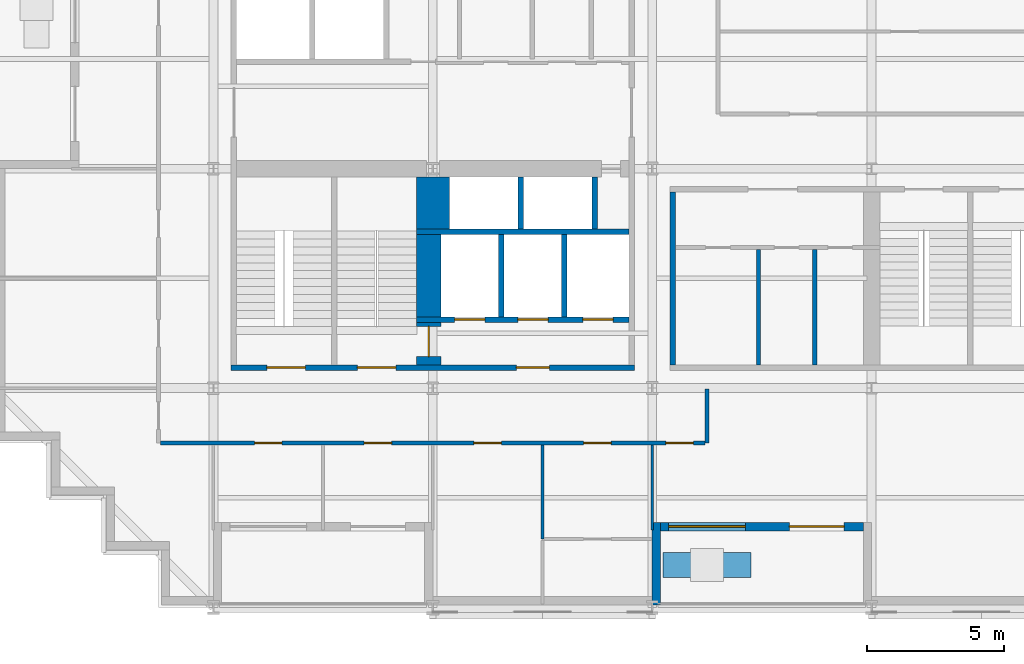
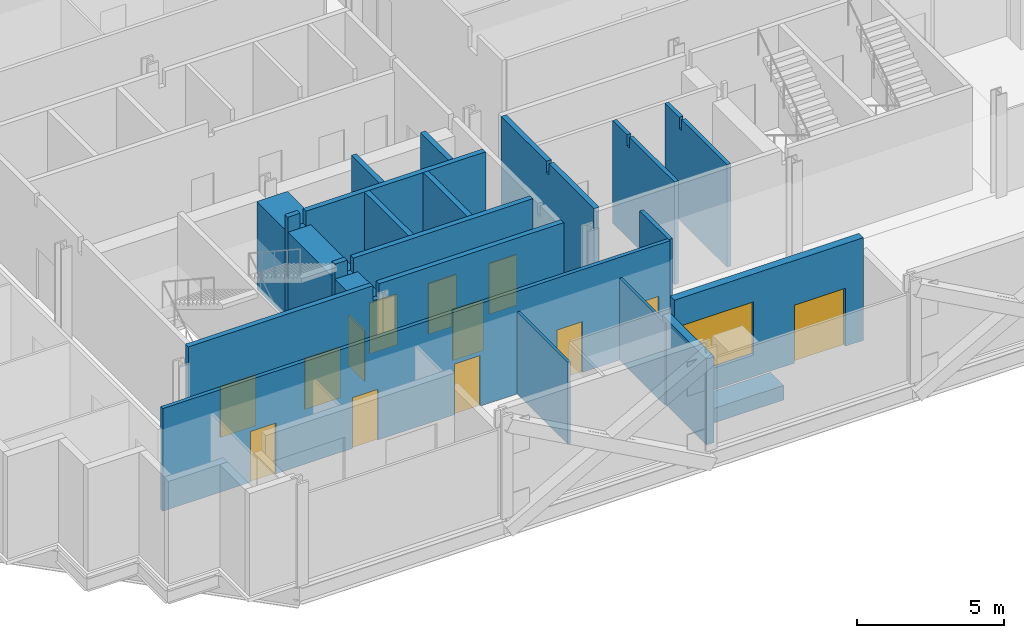
# One storey, part 5 of 15: 20 walls, 13 doors, 1 window, 14 openings.
"""IFC4 building model written with IfcOpenShell, lengths in metres."""

import ifcopenshell
import ifcopenshell.guid

model = None  # the IFC model being written
_history = None  # IfcOwnerHistory: only IFC2X3 demands one
_inside = {}  # id of a spatial element -> (the spatial element, [elements in it])
_under = {}  # id of a project, library or spatial element -> (it, [spatial elements below it])
_declared = {}  # id of a project -> (the project, [libraries it declares])
_typed = {}  # id of a type object -> (the type object, [elements of that type])
_made_of = {}  # id of a material, layer set ... -> (it, [elements and type objects made of it])


def new_model(schema):
    """Start an empty IFC model of exactly this schema.

    Asked for "IFC4X3", IfcOpenShell would pick the latest addendum, in which some entities
    have other attributes; the version numbers below select the first issue.
    IFC2X3 requires an IfcOwnerHistory on every rooted entity: one is made here for all.
    """
    global model, _history
    if schema == "IFC4X3":
        model = ifcopenshell.file(schema_version=(4, 3, 0, 0))
    else:
        model = ifcopenshell.file(schema=schema)
    _inside.clear()
    _under.clear()
    _declared.clear()
    _typed.clear()
    _made_of.clear()
    _history = None
    if model.schema == "IFC2X3":
        org = make("IfcOrganization", Name="unknown")
        user = make(
            "IfcPersonAndOrganization",
            ThePerson=make("IfcPerson", FamilyName="unknown"),
            TheOrganization=org,
        )
        app = make(
            "IfcApplication",
            ApplicationDeveloper=org,
            Version="unknown",
            ApplicationFullName="unknown",
            ApplicationIdentifier="unknown",
        )
        _history = make(
            "IfcOwnerHistory",
            OwningUser=user,
            OwningApplication=app,
            ChangeAction="ADDED",
            CreationDate=0,
        )
    return model


def make(cls, **values):
    """One entity of the class cls with the attributes given. An attribute that is None is left unset."""
    return model.create_entity(
        cls, **{name: value for name, value in values.items() if value is not None}
    )


def rooted(cls, **values):
    """An entity with a GlobalId (a new one), such as an element, a storey or a relation."""
    return make(cls, GlobalId=ifcopenshell.guid.new(), OwnerHistory=_history, **values)


def si_unit(unit_type, name, prefix=None):
    """IfcSIUnit, for example si_unit("LENGTHUNIT", "METRE", prefix="MILLI")."""
    return make("IfcSIUnit", UnitType=unit_type, Prefix=prefix, Name=name)


def assignment(units):
    """IfcUnitAssignment: the units of a project."""
    return None if units is None else make("IfcUnitAssignment", Units=units)


def point(xyz):
    """IfcCartesianPoint."""
    return None if xyz is None else make("IfcCartesianPoint", Coordinates=xyz)


def direction(xyz):
    """IfcDirection."""
    return None if xyz is None else make("IfcDirection", DirectionRatios=xyz)


def frame(location, z_axis=None, x_axis=None):
    """IfcAxis2Placement3D, a coordinate frame: its origin and axes. An axis left out is left unset."""
    return make(
        "IfcAxis2Placement3D",
        Location=point(location),
        Axis=direction(z_axis),
        RefDirection=direction(x_axis),
    )


def frame_2d(location, x_axis=None):
    """IfcAxis2Placement2D, a coordinate frame in the plane: its origin and x axis."""
    return make(
        "IfcAxis2Placement2D", Location=point(location), RefDirection=direction(x_axis)
    )


def origin():
    """The frame at (0, 0, 0) with its axes left unset."""
    return frame((0.0, 0.0, 0.0))


def place(relative_to, where):
    """IfcLocalPlacement: puts the frame where relative to a parent placement (None: the world)."""
    return make(
        "IfcLocalPlacement", PlacementRelTo=relative_to, RelativePlacement=where
    )


def context(
    kind, dimensions, precision=None, world=None, true_north=None, identifier=None
):
    """IfcGeometricRepresentationContext, for example the 3D "Model" context."""
    return make(
        "IfcGeometricRepresentationContext",
        ContextIdentifier=identifier,
        ContextType=kind,
        CoordinateSpaceDimension=dimensions,
        Precision=precision,
        WorldCoordinateSystem=world,
        TrueNorth=true_north,
    )


def subcontext(parent, identifier, kind, view, scale=None):
    """IfcGeometricRepresentationSubContext, for example "Body" below "Model"."""
    return make(
        "IfcGeometricRepresentationSubContext",
        ContextIdentifier=identifier,
        ContextType=kind,
        ParentContext=parent,
        TargetScale=scale,
        TargetView=view,
    )


def project(units=None, contexts=None):
    """IfcProject with its units and contexts."""
    return rooted(
        "IfcProject",
        Name="project",
        RepresentationContexts=contexts,
        UnitsInContext=assignment(units),
    )


def spatial(cls, under=None, at=None, **own):
    """A site, building, storey or space (cls), placed at a placement, below another one or the project."""
    s = rooted(cls, ObjectPlacement=at, **own)
    if under is not None:
        _under.setdefault(under.id(), (under, []))[1].append(s)
    return s


def polyline(points):
    """IfcPolyline through the points."""
    return make("IfcPolyline", Points=[point(p) for p in points])


def profile(cls, at=None, kind="AREA", **sizes):
    """A parametric profile (cls). Its sizes go by their IFC names, for example OverallWidth=200.0."""
    return make(cls, ProfileType=kind, Position=at, **sizes)


def rectangle(**sizes):
    """IfcRectangleProfileDef."""
    return profile("IfcRectangleProfileDef", **sizes)


def outline(outer, holes=None, kind="AREA"):
    """IfcArbitraryClosedProfileDef: a profile drawn as a closed curve; with holes, ...WithVoids."""
    if holes is None:
        return make("IfcArbitraryClosedProfileDef", ProfileType=kind, OuterCurve=outer)
    return make(
        "IfcArbitraryProfileDefWithVoids",
        ProfileType=kind,
        OuterCurve=outer,
        InnerCurves=holes,
    )


def extrude(swept, where, along, depth):
    """IfcExtrudedAreaSolid: the profile swept, set in the frame where, extruded along a direction by depth."""
    return make(
        "IfcExtrudedAreaSolid",
        SweptArea=swept,
        Position=where,
        ExtrudedDirection=direction(along),
        Depth=depth,
    )


def shape(context_of_items, identifier, shape_type, items):
    """IfcShapeRepresentation: the items that make up one representation, for example the "Body"."""
    return make(
        "IfcShapeRepresentation",
        ContextOfItems=context_of_items,
        RepresentationIdentifier=identifier,
        RepresentationType=shape_type,
        Items=items,
    )


def material(Name=None, Category=None):
    """IfcMaterial."""
    return make("IfcMaterial", Name=Name, Category=Category)


def layer(
    of_material, thickness, ventilated=None, Name=None, Category=None, Priority=None
):
    """IfcMaterialLayer: one layer of a wall or slab, of a material (None: an air gap)."""
    return make(
        "IfcMaterialLayer",
        Material=of_material,
        LayerThickness=thickness,
        IsVentilated=ventilated,
        Name=Name,
        Category=Category,
        Priority=Priority,
    )


def layer_set(layers, Name=None):
    """IfcMaterialLayerSet."""
    return make("IfcMaterialLayerSet", MaterialLayers=layers, LayerSetName=Name)


def made_of(thing, what):
    """Note that an element or type object is made of a material, layer set ...; save() writes the relation."""
    if what is not None:
        _made_of.setdefault(what.id(), (what, []))[1].append(thing)
    return thing


def type_object(cls, material=None, **own):
    """A type object (cls), such as IfcWallType, which elements share."""
    return made_of(rooted(cls, **own), material)


def element(
    cls,
    number,
    at=None,
    inside=None,
    cuts=None,
    type_object=None,
    material=None,
    context=None,
    identifier="Body",
    shape_type=None,
    held_by="IfcProductDefinitionShape",
    body=None,
    shapes=None,
    **own,
):
    """One element of the class cls, such as IfcWall. Its Tag is "e" and its number.

    at: its placement. inside: the storey or other place that contains it. cuts: it is an
    opening in that element (IfcRelVoidsElement). A single representation is given by context,
    identifier, shape_type and body (its items); several are given by shapes. held_by: the class
    of the entity that holds the representations. save() writes the other relations.
    """
    e = rooted(cls, Tag="e%d" % number, ObjectPlacement=at, **own)
    if body is not None:
        shapes = [shape(context, identifier, shape_type, body)]
    if shapes is not None:
        e.Representation = make(held_by, Representations=shapes)
    if inside is not None:
        _inside.setdefault(inside.id(), (inside, []))[1].append(e)
    if cuts is not None:
        rooted(
            "IfcRelVoidsElement", RelatingBuildingElement=cuts, RelatedOpeningElement=e
        )
    if type_object is not None:
        _typed.setdefault(type_object.id(), (type_object, []))[1].append(e)
    return made_of(e, material)


def fill(opening, filler):
    """IfcRelFillsElement: the door or window that sits in an opening."""
    return rooted(
        "IfcRelFillsElement",
        RelatingOpeningElement=opening,
        RelatedBuildingElement=filler,
    )


def aggregate(whole, parts):
    """IfcRelAggregates: a whole, such as a stair, and the parts it consists of."""
    return rooted("IfcRelAggregates", RelatingObject=whole, RelatedObjects=parts)


def save(model, path):
    """Write the relations noted so far, then the file.

    IfcRelAggregates (storeys below a building ...), IfcRelContainedInSpatialStructure (elements
    in a storey), IfcRelDefinesByType, IfcRelAssociatesMaterial and IfcRelDeclares: one each for
    every whole, place, type object, material and project.
    """
    for whole, parts in _under.values():
        aggregate(whole, parts)
    for where, things in _inside.values():
        rooted(
            "IfcRelContainedInSpatialStructure",
            RelatedElements=things,
            RelatingStructure=where,
        )
    for kind, things in _typed.values():
        rooted("IfcRelDefinesByType", RelatedObjects=things, RelatingType=kind)
    for what, things in _made_of.values():
        rooted("IfcRelAssociatesMaterial", RelatedObjects=things, RelatingMaterial=what)
    for by, libraries in _declared.values():
        rooted("IfcRelDeclares", RelatingContext=by, RelatedDefinitions=libraries)
    model.write(path)


model = new_model("IFC4")

# Units and contexts
model_context = context("Model", 3, precision=1e-05, world=origin(), true_north=direction((0.0, 1.0)))
body_context = subcontext(model_context, "Body", "Model", "MODEL_VIEW")
ifc_project = project(units=[si_unit("LENGTHUNIT", "METRE"), si_unit("AREAUNIT", "SQUARE_METRE"), si_unit("VOLUMEUNIT", "CUBIC_METRE"), si_unit("PLANEANGLEUNIT", "RADIAN"), si_unit("MASSUNIT", "GRAM", prefix="KILO")], contexts=[model_context])

# Site, building, storey
site_placement = place(None, origin())
site = spatial("IfcSite", under=ifc_project, at=site_placement, CompositionType="ELEMENT")
building_placement = place(site_placement, origin())
building = spatial("IfcBuilding", under=site, at=building_placement, Name="Immortelle Media Tower", CompositionType="ELEMENT")
storey_placement = place(building_placement, frame((0.0, 0.0, 61.199951171875)))
storey = spatial("IfcBuildingStorey", under=building, at=storey_placement, Name="L10", CompositionType="ELEMENT", Elevation=61.199951171875)

# Walls
ifc_material_1 = material(Name="Fire-rated gypsum board", Category="gypsum")
ifc_layer_1 = layer(ifc_material_1, 0.02490234375)
ifc_material_2 = material(Name="Steel ASTM A653 SS Gr 50 stud frame with mineral wool", Category="steel")
ifc_layer_2 = layer(ifc_material_2, 0.10009765625)
ifc_layer_3 = layer(ifc_material_1, 0.02490234375)
ifc_layer_set_1 = layer_set([ifc_layer_1, ifc_layer_2, ifc_layer_3], Name="Steel ASTM A653 SS Gr 50 stud frame with mineral wool")
wall_type_1 = type_object("IfcWallType", Name="Core partition 150", PredefinedType="PARTITIONING", material=ifc_layer_set_1)
for number, where, z_axis, x_axis, name in (
    (1, (27.875, 8.85009765625, 0.0), (0.0, 0.0, 1.0), (0.0, 1.0, 0.0), "Core partition SE"),
    (2, (29.925048828125, 8.85009765625, 0.0), (0.0, 0.0, 1.0), (0.0, 1.0, 0.0), "Core partition SE"),
):
    element("IfcWall", number, at=place(storey_placement, frame(where, z_axis=z_axis, x_axis=x_axis)), inside=storey, type_object=wall_type_1, Name=name, PredefinedType="PARTITIONING", context=body_context, shape_type="SweptSolid", body=[
        extrude(outline(polyline([(0.0, 0.0), (4.199951171875, 0.0), (4.199951171875, 4.25), (3.2314453125, 4.25), (3.23046875, 3.7890625), (3.069580078125, 3.7890625), (3.068603515625, 4.25), (0.0, 4.25), (0.0, 0.0)])), frame((0.0, 0.074951171875, 0.0), z_axis=(0.0, -1.0, 0.0), x_axis=(1.0, 0.0, 0.0)), (0.0, 0.0, 1.0), 0.14990234375),
    ])

# Wall, openings, doors
ifc_layer_4 = layer(ifc_material_1, 0.03759765625)
ifc_layer_5 = layer(ifc_material_2, 0.125)
ifc_layer_6 = layer(ifc_material_1, 0.03759765625)
ifc_layer_set_2 = layer_set([ifc_layer_4, ifc_layer_5, ifc_layer_6], Name="Steel ASTM A653 SS Gr 50 stud frame with mineral wool")
wall_type_2 = type_object("IfcWallType", Name="Core shaft wall 200", PredefinedType="PARTITIONING", material=ifc_layer_set_2)
wall_1_placement = place(storey_placement, frame((15.39990234375, 10.5, 0.0), z_axis=(0.0, 0.0, 1.0), x_axis=(1.0, 0.0, 0.0)))
wall_1 = element("IfcWall", 3, at=wall_1_placement, inside=storey, type_object=wall_type_2, Name="Core shaft wall SW", PredefinedType="PARTITIONING", context=body_context, shape_type="SweptSolid", body=[
    extrude(outline(polyline([(0.0, 0.0), (7.75, 0.0), (7.75, 4.25), (0.719482421875, 4.25), (0.718505859375, 3.632080078125), (0.4814453125, 3.632080078125), (0.48046875, 4.25), (0.0, 4.25), (0.0, 0.0)])), frame((0.0, 0.10009765625, 0.0), z_axis=(0.0, -1.0, 0.0), x_axis=(1.0, 0.0, 0.0)), (0.0, 0.0, 1.0), 0.199951171875),
])
opening_1_placement = place(wall_1_placement, frame((1.39990234375, 0.0, 0.0)))
opening_1 = element("IfcOpeningElement", 4, at=opening_1_placement, cuts=wall_1, Name="Opening LD", PredefinedType="OPENING", context=body_context, shape_type="SweptSolid", body=[
    extrude(rectangle(XDim=1.10009765625, YDim=2.10009765625, at=frame_2d((0.550048828125, 1.050048828125))), frame((0.0, 0.10986328125, 0.0), z_axis=(0.0, -1.0, 0.0), x_axis=(1.0, 0.0, 0.0)), (0.0, 0.0, 1.0), 0.219970703125),
])
opening_2_placement = place(wall_1_placement, frame((3.699951171875, 0.0, 0.0)))
opening_2 = element("IfcOpeningElement", 5, at=opening_2_placement, cuts=wall_1, Name="Opening LD", PredefinedType="OPENING", context=body_context, shape_type="SweptSolid", body=[
    extrude(rectangle(XDim=1.10009765625, YDim=2.10009765625, at=frame_2d((0.550048828125, 1.050048828125))), frame((0.0, 0.10986328125, 0.0), z_axis=(0.0, -1.0, 0.0), x_axis=(1.0, 0.0, 0.0)), (0.0, 0.0, 1.0), 0.219970703125),
])
opening_3_placement = place(wall_1_placement, frame((6.074951171875, 0.0, 0.0)))
opening_3 = element("IfcOpeningElement", 6, at=opening_3_placement, cuts=wall_1, Name="Opening LD", PredefinedType="OPENING", context=body_context, shape_type="SweptSolid", body=[
    extrude(rectangle(XDim=1.10009765625, YDim=2.10009765625, at=frame_2d((0.550048828125, 1.050048828125))), frame((0.0, 0.10986328125, 0.0), z_axis=(0.0, -1.0, 0.0), x_axis=(1.0, 0.0, 0.0)), (0.0, 0.0, 1.0), 0.219970703125),
])
ifc_material_3 = material(Name="Stainless steel AISI 304", Category="steel")
door_type_1 = type_object("IfcDoorType", Name="Landing door 1100 x 2100", OperationType="SLIDING_TO_LEFT", PredefinedType="NOTDEFINED", material=ifc_material_3)
door_1_placement = place(opening_1_placement, origin())
door_1 = element("IfcDoor", 7, at=door_1_placement, inside=storey, type_object=door_type_1, Name="Landing door FF1 L10", OperationType="SLIDING_TO_LEFT", OverallHeight=2.10009765625, OverallWidth=1.10009765625, PredefinedType="NOTDEFINED", context=body_context, shape_type="SweptSolid", body=[
    extrude(rectangle(XDim=1.10009765625, YDim=2.10009765625, at=frame_2d((0.550048828125, 1.050048828125))), frame((0.0, 0.02490234375, 0.0), z_axis=(0.0, -1.0, 0.0), x_axis=(1.0, 0.0, 0.0)), (0.0, 0.0, 1.0), 0.050048828125),
])
fill(opening_1, door_1)
door_2_placement = place(opening_2_placement, origin())
door_2 = element("IfcDoor", 8, at=door_2_placement, inside=storey, type_object=door_type_1, Name="Landing door FF2 L10", OperationType="SLIDING_TO_LEFT", OverallHeight=2.10009765625, OverallWidth=1.10009765625, PredefinedType="NOTDEFINED", context=body_context, shape_type="SweptSolid", body=[
    extrude(rectangle(XDim=1.10009765625, YDim=2.10009765625, at=frame_2d((0.550048828125, 1.050048828125))), frame((0.0, 0.02490234375, 0.0), z_axis=(0.0, -1.0, 0.0), x_axis=(1.0, 0.0, 0.0)), (0.0, 0.0, 1.0), 0.050048828125),
])
fill(opening_2, door_2)
door_3_placement = place(opening_3_placement, origin())
door_3 = element("IfcDoor", 9, at=door_3_placement, inside=storey, type_object=door_type_1, Name="Landing door FF3 L10", OperationType="SLIDING_TO_LEFT", OverallHeight=2.10009765625, OverallWidth=1.10009765625, PredefinedType="NOTDEFINED", context=body_context, shape_type="SweptSolid", body=[
    extrude(rectangle(XDim=1.10009765625, YDim=2.10009765625, at=frame_2d((0.550048828125, 1.050048828125))), frame((0.0, 0.02490234375, 0.0), z_axis=(0.0, -1.0, 0.0), x_axis=(1.0, 0.0, 0.0)), (0.0, 0.0, 1.0), 0.050048828125),
])
fill(opening_3, door_3)

# Walls
wall_2_placement = place(storey_placement, frame((15.39990234375, 13.699951171875, 0.0), z_axis=(0.0, 0.0, 1.0), x_axis=(1.0, 0.0, 0.0)))
element("IfcWall", 10, at=wall_2_placement, inside=storey, type_object=wall_type_2, Name="Core shaft wall SW", PredefinedType="PARTITIONING", context=body_context, shape_type="SweptSolid", body=[
    extrude(outline(polyline([(0.0, 0.0), (7.75, 0.0), (7.75, 4.25), (0.719482421875, 4.25), (0.718505859375, 3.632080078125), (0.4814453125, 3.632080078125), (0.48046875, 4.25), (0.0, 4.25), (0.0, 0.0)])), frame((0.0, 0.10009765625, 0.0), z_axis=(0.0, -1.0, 0.0), x_axis=(1.0, 0.0, 0.0)), (0.0, 0.0, 1.0), 0.199951171875),
])
wall_3_placement = place(storey_placement, frame((18.5, 10.60009765625, 0.0), z_axis=(0.0, 0.0, 1.0), x_axis=(0.0, 1.0, 0.0)))
element("IfcWall", 11, at=wall_3_placement, inside=storey, type_object=wall_type_2, Name="Core shaft wall SW", PredefinedType="PARTITIONING", context=body_context, shape_type="SweptSolid", body=[
    extrude(rectangle(XDim=3.0, YDim=0.199951171875, at=frame_2d((1.5, 0.0))), origin(), (0.0, 0.0, 1.0), 4.25),
])
wall_4_placement = place(storey_placement, frame((19.199951171875, 13.800048828125, 0.0), z_axis=(0.0, 0.0, 1.0), x_axis=(0.0, 1.0, 0.0)))
element("IfcWall", 12, at=wall_4_placement, inside=storey, type_object=wall_type_2, Name="Core shaft wall SW", PredefinedType="PARTITIONING", context=body_context, shape_type="SweptSolid", body=[
    extrude(rectangle(XDim=1.89990234375, YDim=0.199951171875, at=frame_2d((0.949951171875, 0.0))), origin(), (0.0, 0.0, 1.0), 4.25),
])
wall_5_placement = place(storey_placement, frame((20.800048828125, 10.60009765625, 0.0), z_axis=(0.0, 0.0, 1.0), x_axis=(0.0, 1.0, 0.0)))
element("IfcWall", 13, at=wall_5_placement, inside=storey, type_object=wall_type_2, Name="Core shaft wall SW", PredefinedType="PARTITIONING", context=body_context, shape_type="SweptSolid", body=[
    extrude(rectangle(XDim=3.0, YDim=0.199951171875, at=frame_2d((1.5, 0.0))), origin(), (0.0, 0.0, 1.0), 4.25),
])
wall_6_placement = place(storey_placement, frame((21.89990234375, 13.800048828125, 0.0), z_axis=(0.0, 0.0, 1.0), x_axis=(0.0, 1.0, 0.0)))
element("IfcWall", 14, at=wall_6_placement, inside=storey, type_object=wall_type_2, Name="Core shaft wall SW", PredefinedType="PARTITIONING", context=body_context, shape_type="SweptSolid", body=[
    extrude(rectangle(XDim=1.89990234375, YDim=0.199951171875, at=frame_2d((0.949951171875, 0.0))), origin(), (0.0, 0.0, 1.0), 4.25),
])
wall_7_placement = place(storey_placement, frame((24.75, 8.85009765625, 0.0), z_axis=(0.0, 0.0, 1.0), x_axis=(0.0, 1.0, 0.0)))
element("IfcWall", 15, at=wall_7_placement, inside=storey, type_object=wall_type_2, Name="Core shaft wall SE", PredefinedType="PARTITIONING", context=body_context, shape_type="SweptSolid", body=[
    extrude(outline(polyline([(0.0, 0.0), (6.2998046875, 0.0), (6.300048828125, 4.25), (3.2314453125, 4.25), (3.23046875, 3.7890625), (3.069580078125, 3.7890625), (3.068603515625, 4.25), (0.0, 4.25), (0.0, 0.0)])), frame((0.0, 0.10009765625, 0.0), z_axis=(0.0, -1.0, 0.0), x_axis=(1.0, 0.0, 0.0)), (0.0, 0.0, 1.0), 0.199951171875),
])

# Wall, openings, doors
ifc_layer_7 = layer(ifc_material_1, 0.012451171875)
ifc_layer_8 = layer(ifc_material_2, 0.125)
ifc_layer_9 = layer(ifc_material_1, 0.012451171875)
ifc_layer_set_3 = layer_set([ifc_layer_7, ifc_layer_8, ifc_layer_9], Name="Steel ASTM A653 SS Gr 50 stud frame with mineral wool")
wall_type_3 = type_object("IfcWallType", Name="Corridor wall 150", PredefinedType="PARTITIONING", material=ifc_layer_set_3)
wall_8_placement = place(storey_placement, frame((6.074951171875, 6.0, 0.0), z_axis=(0.0, 0.0, 1.0), x_axis=(1.0, 0.0, 0.0)))
wall_8 = element("IfcWall", 16, at=wall_8_placement, inside=storey, type_object=wall_type_3, Name="Partition L10-008", PredefinedType="PARTITIONING", context=body_context, shape_type="SweptSolid", body=[
    extrude(rectangle(XDim=19.85009765625, YDim=0.14990234375, at=frame_2d((9.925048828125, 0.0))), origin(), (0.0, 0.0, 1.0), 4.25),
])
opening_4_placement = place(wall_8_placement, frame((12.425048828125, 0.0, 0.0), z_axis=(0.0, 0.0, 1.0), x_axis=(-1.0, 0.0, 0.0)))
opening_4 = element("IfcOpeningElement", 17, at=opening_4_placement, cuts=wall_8, Name="Opening N3-F001", PredefinedType="OPENING", context=body_context, shape_type="SweptSolid", body=[
    extrude(rectangle(XDim=1.0, YDim=2.10009765625, at=frame_2d((0.5, 1.050048828125))), frame((0.0, 0.0849609375, 0.0), z_axis=(0.0, -1.0, 0.0), x_axis=(1.0, 0.0, 0.0)), (0.0, 0.0, 1.0), 0.169921875),
])
opening_5_placement = place(wall_8_placement, frame((16.425048828125, 0.0, 0.0), z_axis=(0.0, 0.0, 1.0), x_axis=(-1.0, 0.0, 0.0)))
opening_5 = element("IfcOpeningElement", 18, at=opening_5_placement, cuts=wall_8, Name="Opening N3-F002", PredefinedType="OPENING", context=body_context, shape_type="SweptSolid", body=[
    extrude(rectangle(XDim=1.0, YDim=2.10009765625, at=frame_2d((0.5, 1.050048828125))), frame((0.0, 0.0849609375, 0.0), z_axis=(0.0, -1.0, 0.0), x_axis=(1.0, 0.0, 0.0)), (0.0, 0.0, 1.0), 0.169921875),
])
opening_6_placement = place(wall_8_placement, frame((4.425048828125, 0.0, 0.0), z_axis=(0.0, 0.0, 1.0), x_axis=(-1.0, 0.0, 0.0)))
opening_6 = element("IfcOpeningElement", 19, at=opening_6_placement, cuts=wall_8, Name="Opening N3-F004", PredefinedType="OPENING", context=body_context, shape_type="SweptSolid", body=[
    extrude(rectangle(XDim=1.0, YDim=2.10009765625, at=frame_2d((0.5, 1.050048828125))), frame((0.0, 0.0849609375, 0.0), z_axis=(0.0, -1.0, 0.0), x_axis=(1.0, 0.0, 0.0)), (0.0, 0.0, 1.0), 0.169921875),
])
opening_7_placement = place(wall_8_placement, frame((8.425048828125, 0.0, 0.0), z_axis=(0.0, 0.0, 1.0), x_axis=(-1.0, 0.0, 0.0)))
opening_7 = element("IfcOpeningElement", 20, at=opening_7_placement, cuts=wall_8, Name="Opening N3-F005", PredefinedType="OPENING", context=body_context, shape_type="SweptSolid", body=[
    extrude(rectangle(XDim=1.0, YDim=2.10009765625, at=frame_2d((0.5, 1.050048828125))), frame((0.0, 0.0849609375, 0.0), z_axis=(0.0, -1.0, 0.0), x_axis=(1.0, 0.0, 0.0)), (0.0, 0.0, 1.0), 0.169921875),
])
opening_8_placement = place(wall_8_placement, frame((19.425048828125, 0.0, 0.0), z_axis=(0.0, 0.0, 1.0), x_axis=(-1.0, 0.0, 0.0)))
opening_8 = element("IfcOpeningElement", 21, at=opening_8_placement, cuts=wall_8, Name="Opening N3-F006", PredefinedType="OPENING", context=body_context, shape_type="SweptSolid", body=[
    extrude(rectangle(XDim=1.0, YDim=2.10009765625, at=frame_2d((0.5, 1.050048828125))), frame((0.0, 0.0849609375, 0.0), z_axis=(0.0, -1.0, 0.0), x_axis=(1.0, 0.0, 0.0)), (0.0, 0.0, 1.0), 0.169921875),
])
ifc_material_4 = material(Name="Timber veneered door leaf, galvanised steel frame ASTM A653", Category="steel")
door_type_2 = type_object("IfcDoorType", Name="Room door 1000 x 2100", OperationType="NOTDEFINED", PredefinedType="DOOR", material=ifc_material_4)
door_4_placement = place(opening_4_placement, origin())
door_4 = element("IfcDoor", 22, at=door_4_placement, inside=storey, type_object=door_type_2, Name="Door N3-F001", OperationType="SINGLE_SWING_RIGHT", OverallHeight=2.10009765625, OverallWidth=1.0, PredefinedType="DOOR", context=body_context, shape_type="SweptSolid", body=[
    extrude(rectangle(XDim=1.0, YDim=2.10009765625, at=frame_2d((0.5, 1.050048828125))), frame((0.0, 0.02490234375, 0.0), z_axis=(0.0, -1.0, 0.0), x_axis=(1.0, 0.0, 0.0)), (0.0, 0.0, 1.0), 0.050048828125),
])
fill(opening_4, door_4)
door_5_placement = place(opening_5_placement, origin())
door_5 = element("IfcDoor", 23, at=door_5_placement, inside=storey, type_object=door_type_2, Name="Door N3-F002", OperationType="SINGLE_SWING_LEFT", OverallHeight=2.10009765625, OverallWidth=1.0, PredefinedType="DOOR", context=body_context, shape_type="SweptSolid", body=[
    extrude(rectangle(XDim=1.0, YDim=2.10009765625, at=frame_2d((0.5, 1.050048828125))), frame((0.0, 0.02490234375, 0.0), z_axis=(0.0, -1.0, 0.0), x_axis=(1.0, 0.0, 0.0)), (0.0, 0.0, 1.0), 0.050048828125),
])
fill(opening_5, door_5)
door_6_placement = place(opening_6_placement, origin())
door_6 = element("IfcDoor", 24, at=door_6_placement, inside=storey, type_object=door_type_2, Name="Door N3-F004", OperationType="SINGLE_SWING_RIGHT", OverallHeight=2.10009765625, OverallWidth=1.0, PredefinedType="DOOR", context=body_context, shape_type="SweptSolid", body=[
    extrude(rectangle(XDim=1.0, YDim=2.10009765625, at=frame_2d((0.5, 1.050048828125))), frame((0.0, 0.02490234375, 0.0), z_axis=(0.0, -1.0, 0.0), x_axis=(1.0, 0.0, 0.0)), (0.0, 0.0, 1.0), 0.050048828125),
])
fill(opening_6, door_6)
door_7_placement = place(opening_7_placement, origin())
door_7 = element("IfcDoor", 25, at=door_7_placement, inside=storey, type_object=door_type_2, Name="Door N3-F005", OperationType="SINGLE_SWING_LEFT", OverallHeight=2.10009765625, OverallWidth=1.0, PredefinedType="DOOR", context=body_context, shape_type="SweptSolid", body=[
    extrude(rectangle(XDim=1.0, YDim=2.10009765625, at=frame_2d((0.5, 1.050048828125))), frame((0.0, 0.02490234375, 0.0), z_axis=(0.0, -1.0, 0.0), x_axis=(1.0, 0.0, 0.0)), (0.0, 0.0, 1.0), 0.050048828125),
])
fill(opening_7, door_7)
door_8_placement = place(opening_8_placement, origin())
door_8 = element("IfcDoor", 26, at=door_8_placement, inside=storey, type_object=door_type_2, Name="Door N3-F006", OperationType="SINGLE_SWING_RIGHT", OverallHeight=2.10009765625, OverallWidth=1.0, PredefinedType="DOOR", context=body_context, shape_type="SweptSolid", body=[
    extrude(rectangle(XDim=1.0, YDim=2.10009765625, at=frame_2d((0.5, 1.050048828125))), frame((0.0, 0.02490234375, 0.0), z_axis=(0.0, -1.0, 0.0), x_axis=(1.0, 0.0, 0.0)), (0.0, 0.0, 1.0), 0.050048828125),
])
fill(opening_8, door_8)

# Wall
wall_9_placement = place(storey_placement, frame((26.0, 6.0, 0.0), z_axis=(0.0, 0.0, 1.0), x_axis=(0.0, 1.0, 0.0)))
element("IfcWall", 27, at=wall_9_placement, inside=storey, type_object=wall_type_3, Name="Partition L10-010", PredefinedType="PARTITIONING", context=body_context, shape_type="SweptSolid", body=[
    extrude(rectangle(XDim=1.969970703125, YDim=0.14990234375, at=frame_2d((0.98486328125, 0.0))), origin(), (0.0, 0.0, 1.0), 4.25),
])

# Wall, openings, door, window
ifc_material_5 = material(Name="Pale aluminium cladding panel", Category="aluminium")
ifc_layer_10 = layer(ifc_material_5, 0.030029296875)
ifc_layer_11 = layer(ifc_material_2, 0.257568359375)
ifc_material_6 = material(Name="Moisture-resistant gypsum board", Category="gypsum")
ifc_layer_12 = layer(ifc_material_6, 0.012451171875)
ifc_layer_set_4 = layer_set([ifc_layer_10, ifc_layer_11, ifc_layer_12], Name="Steel ASTM A653 SS Gr 50 stud frame with mineral wool")
wall_type_4 = type_object("IfcWallType", Name="Facade wall 300", PredefinedType="SOLIDWALL", material=ifc_layer_set_4)
wall_10_placement = place(storey_placement, frame((24.300048828125, 2.949951171875, 0.0), z_axis=(0.0, 0.0, 1.0), x_axis=(1.0, 0.0, 0.0)))
wall_10 = element("IfcWall", 28, at=wall_10_placement, inside=storey, type_object=wall_type_4, Name="Loggia wall L10 S7", PredefinedType="SOLIDWALL", context=body_context, shape_type="SweptSolid", body=[
    extrude(rectangle(XDim=7.39990234375, YDim=0.300048828125, at=frame_2d((3.699951171875, 0.0))), origin(), (0.0, 0.0, 1.0), 4.25),
])
opening_9_placement = place(wall_10_placement, frame((0.300048828125, 0.0, 0.89990234375)))
opening_9 = element("IfcOpeningElement", 29, at=opening_9_placement, cuts=wall_10, Name="Opening W1", PredefinedType="OPENING", context=body_context, shape_type="SweptSolid", body=[
    extrude(rectangle(XDim=2.800048828125, YDim=2.199951171875, at=frame_2d((1.39990234375, 1.10009765625))), frame((0.0, 0.159912109375, 0.0), z_axis=(0.0, -1.0, 0.0), x_axis=(1.0, 0.0, 0.0)), (0.0, 0.0, 1.0), 0.320068359375),
])
opening_10_placement = place(wall_10_placement, frame((4.699951171875, 0.0, 0.0)))
opening_10 = element("IfcOpeningElement", 30, at=opening_10_placement, cuts=wall_10, Name="Opening N3-E004", PredefinedType="OPENING", context=body_context, shape_type="SweptSolid", body=[
    extrude(rectangle(XDim=2.0, YDim=2.39990234375, at=frame_2d((1.0, 1.199951171875))), frame((0.0, 0.159912109375, 0.0), z_axis=(0.0, -1.0, 0.0), x_axis=(1.0, 0.0, 0.0)), (0.0, 0.0, 1.0), 0.320068359375),
])
ifc_material_7 = material(Name="Aluminium frame, glazed leaves", Category="aluminium")
door_type_3 = type_object("IfcDoorType", Name="Loggia door 2000 x 2400", OperationType="DOUBLE_DOOR_SINGLE_SWING", PredefinedType="DOOR", material=ifc_material_7)
door_9_placement = place(opening_10_placement, origin())
door_9 = element("IfcDoor", 31, at=door_9_placement, inside=storey, type_object=door_type_3, Name="Door N3-E004", OperationType="DOUBLE_DOOR_SINGLE_SWING", OverallHeight=2.39990234375, OverallWidth=2.0, PredefinedType="DOOR", context=body_context, shape_type="SweptSolid", body=[
    extrude(rectangle(XDim=2.0, YDim=2.39990234375, at=frame_2d((1.0, 1.199951171875))), frame((0.0, 0.02490234375, 0.0), z_axis=(0.0, -1.0, 0.0), x_axis=(1.0, 0.0, 0.0)), (0.0, 0.0, 1.0), 0.050048828125),
])
fill(opening_10, door_9)
ifc_material_8 = material(Name="Aluminium frame", Category="aluminium")
window_type = type_object("IfcWindowType", Name="Window 2800 x 2200", PartitioningType="SINGLE_PANEL", PredefinedType="WINDOW", material=ifc_material_8)
window_placement = place(opening_9_placement, origin())
window = element("IfcWindow", 32, at=window_placement, inside=storey, type_object=window_type, Name="Window L10 L10-R7-B2", OverallHeight=2.199951171875, OverallWidth=2.800048828125, PartitioningType="SINGLE_PANEL", PredefinedType="WINDOW", context=body_context, shape_type="SweptSolid", body=[
    extrude(rectangle(XDim=2.800048828125, YDim=2.199951171875, at=frame_2d((1.39990234375, 1.10009765625))), frame((0.0, 0.030029296875, 0.0), z_axis=(0.0, -1.0, 0.0), x_axis=(1.0, 0.0, 0.0)), (0.0, 0.0, 1.0), 0.06005859375),
])
fill(opening_9, window)

# Walls
wall_11_placement = place(storey_placement, frame((24.14990234375, 0.10009765625, 0.0), z_axis=(0.0, 0.0, 1.0), x_axis=(0.0, 1.0, 0.0)))
element("IfcWall", 33, at=wall_11_placement, inside=storey, type_object=wall_type_4, Name="Loggia cheek wall L10 S", PredefinedType="SOLIDWALL", context=body_context, shape_type="SweptSolid", body=[
    extrude(rectangle(XDim=3.0, YDim=0.300048828125, at=frame_2d((1.5, 0.0))), origin(), (0.0, 0.0, 1.0), 3.55615234375),
])
ifc_material_9 = material(Name="Gypsum board", Category="gypsum")
ifc_layer_13 = layer(ifc_material_9, 0.012451171875)
ifc_layer_14 = layer(ifc_material_2, 0.074951171875)
ifc_layer_15 = layer(ifc_material_9, 0.012451171875)
ifc_layer_set_5 = layer_set([ifc_layer_13, ifc_layer_14, ifc_layer_15], Name="Steel ASTM A653 SS Gr 50 stud frame with mineral wool")
wall_type_5 = type_object("IfcWallType", Name="Partition 100", PredefinedType="PARTITIONING", material=ifc_layer_set_5)
wall_12_placement = place(storey_placement, frame((20.0, 2.5, 0.0), z_axis=(0.0, 0.0, 1.0), x_axis=(0.0, 1.0, 0.0)))
element("IfcWall", 34, at=wall_12_placement, inside=storey, type_object=wall_type_5, Name="Partition L10-003", PredefinedType="PARTITIONING", context=body_context, shape_type="SweptSolid", body=[
    extrude(rectangle(XDim=3.425048828125, YDim=0.10009765625, at=frame_2d((1.71240234375, 0.0))), origin(), (0.0, 0.0, 1.0), 3.39111328125),
])
wall_13_placement = place(storey_placement, frame((24.0, 2.830078125, 0.0), z_axis=(0.0, 0.0, 1.0), x_axis=(0.0, 1.0, 0.0)))
element("IfcWall", 35, at=wall_13_placement, inside=storey, type_object=wall_type_5, Name="Partition L10-007", PredefinedType="PARTITIONING", context=body_context, shape_type="SweptSolid", body=[
    extrude(rectangle(XDim=3.094970703125, YDim=0.10009765625, at=frame_2d((1.54736328125, 0.0))), origin(), (0.0, 0.0, 1.0), 3.39111328125),
])
ifc_layer_16 = layer(ifc_material_5, 0.0029296875)
ifc_material_10 = material(Name="Steel ASTM A572 Gr 50 planter shell", Category="steel")
ifc_layer_17 = layer(ifc_material_10, 0.011962890625)
ifc_material_11 = material(Name="Planting substrate", Category="soil")
ifc_layer_18 = layer(ifc_material_11, 0.873046875)
ifc_layer_19 = layer(ifc_material_10, 0.011962890625)
ifc_layer_set_6 = layer_set([ifc_layer_16, ifc_layer_17, ifc_layer_18, ifc_layer_19], Name="Steel ASTM A572 Gr 50 planter shell")
wall_type_6 = type_object("IfcWallType", Name="Planter wall 900", PredefinedType="SOLIDWALL", material=ifc_layer_set_6)
wall_14_placement = place(storey_placement, frame((24.39990234375, 1.550048828125, 0.0), z_axis=(0.0, 0.0, 1.0), x_axis=(1.0, 0.0, 0.0)))
element("IfcWall", 36, at=wall_14_placement, inside=storey, type_object=wall_type_6, Name="Planter L10 S2", PredefinedType="SOLIDWALL", context=body_context, shape_type="SweptSolid", body=[
    extrude(rectangle(XDim=3.2001953125, YDim=0.89990234375, at=frame_2d((1.60009765625, 0.0))), origin(), (0.0, 0.0, 1.0), 0.60009765625),
])
ifc_material_12 = material(Name="Concrete C60", Category="concrete")
ifc_layer_20 = layer(ifc_material_12, 1.199951171875)
ifc_layer_set_7 = layer_set([ifc_layer_20], Name="Concrete C60")
wall_type_7 = type_object("IfcWallType", Name="Stair shaft wall 1200", PredefinedType="PARTITIONING", material=ifc_layer_set_7)
wall_15_placement = place(storey_placement, frame((16.0, 13.800048828125, 0.0), z_axis=(0.0, 0.0, 1.0), x_axis=(0.0, 1.0, 0.0)))
element("IfcWall", 37, at=wall_15_placement, inside=storey, type_object=wall_type_7, Name="Stair shaft wall SW", PredefinedType="PARTITIONING", context=body_context, shape_type="SweptSolid", body=[
    extrude(rectangle(XDim=1.89990234375, YDim=1.199951171875, at=frame_2d((0.949951171875, 0.0))), origin(), (0.0, 0.0, 1.0), 3.632080078125),
])

# Wall, openings, doors
ifc_layer_21 = layer(ifc_material_12, 0.199951171875)
ifc_layer_set_8 = layer_set([ifc_layer_21], Name="Concrete C60")
wall_type_8 = type_object("IfcWallType", Name="Stair shaft wall 200", PredefinedType="PARTITIONING", material=ifc_layer_set_8)
wall_16_placement = place(storey_placement, frame((8.64990234375, 8.75, 0.0), z_axis=(0.0, 0.0, 1.0), x_axis=(1.0, 0.0, 0.0)))
wall_16 = element("IfcWall", 38, at=wall_16_placement, inside=storey, type_object=wall_type_8, Name="Stair shaft wall SW", PredefinedType="PARTITIONING", context=body_context, shape_type="SweptSolid", body=[
    extrude(outline(polyline([(0.0, 0.0), (14.7001953125, 0.0), (14.699951171875, 4.25), (7.469482421875, 4.25), (7.468505859375, 3.632080078125), (7.2314453125, 3.632080078125), (7.23046875, 4.25), (0.0, 4.25), (0.0, 0.0)])), frame((0.0, 0.10009765625, 0.0), z_axis=(0.0, -1.0, 0.0), x_axis=(1.0, 0.0, 0.0)), (0.0, 0.0, 1.0), 0.199951171875),
])
opening_11_placement = place(wall_16_placement, frame((1.300048828125, 0.0, 0.0)))
opening_11 = element("IfcOpeningElement", 39, at=opening_11_placement, cuts=wall_16, Name="Opening N3-K002", PredefinedType="OPENING", context=body_context, shape_type="SweptSolid", body=[
    extrude(rectangle(XDim=1.39990234375, YDim=2.10009765625, at=frame_2d((0.699951171875, 1.050048828125))), frame((0.0, 0.10986328125, 0.0), z_axis=(0.0, -1.0, 0.0), x_axis=(1.0, 0.0, 0.0)), (0.0, 0.0, 1.0), 0.219970703125),
])
opening_12_placement = place(wall_16_placement, frame((4.60009765625, 0.0, 0.0)))
opening_12 = element("IfcOpeningElement", 40, at=opening_12_placement, cuts=wall_16, Name="Opening N3-K003", PredefinedType="OPENING", context=body_context, shape_type="SweptSolid", body=[
    extrude(rectangle(XDim=1.39990234375, YDim=2.10009765625, at=frame_2d((0.699951171875, 1.050048828125))), frame((0.0, 0.10986328125, 0.0), z_axis=(0.0, -1.0, 0.0), x_axis=(1.0, 0.0, 0.0)), (0.0, 0.0, 1.0), 0.219970703125),
])
opening_13_placement = place(wall_16_placement, frame((10.39990234375, 0.0, 0.0)))
opening_13 = element("IfcOpeningElement", 41, at=opening_13_placement, cuts=wall_16, Name="Opening N3-K008", PredefinedType="OPENING", context=body_context, shape_type="SweptSolid", body=[
    extrude(rectangle(XDim=1.199951171875, YDim=2.10009765625, at=frame_2d((0.60009765625, 1.050048828125))), frame((0.0, 0.10986328125, 0.0), z_axis=(0.0, -1.0, 0.0), x_axis=(1.0, 0.0, 0.0)), (0.0, 0.0, 1.0), 0.219970703125),
])
ifc_material_13 = material(Name="Galvanised steel door leaf and frame ASTM A653", Category="steel")
door_type_4 = type_object("IfcDoorType", Name="Fire-fighting lobby door 1200 x 2100", OperationType="NOTDEFINED", PredefinedType="NOTDEFINED", material=ifc_material_13)
door_10_placement = place(opening_13_placement, origin())
door_10 = element("IfcDoor", 42, at=door_10_placement, inside=storey, type_object=door_type_4, Name="Fire-fighting lobby N3-K008", OperationType="SINGLE_SWING_LEFT", OverallHeight=2.10009765625, OverallWidth=1.199951171875, PredefinedType="NOTDEFINED", context=body_context, shape_type="SweptSolid", body=[
    extrude(rectangle(XDim=1.199951171875, YDim=2.10009765625, at=frame_2d((0.60009765625, 1.050048828125))), frame((0.0, 0.02490234375, 0.0), z_axis=(0.0, -1.0, 0.0), x_axis=(1.0, 0.0, 0.0)), (0.0, 0.0, 1.0), 0.050048828125),
])
fill(opening_13, door_10)
door_type_5 = type_object("IfcDoorType", Name="Stair door 1400 x 2100", OperationType="DOUBLE_DOOR_SINGLE_SWING", PredefinedType="NOTDEFINED", material=ifc_material_13)
door_11_placement = place(opening_11_placement, origin())
door_11 = element("IfcDoor", 43, at=door_11_placement, inside=storey, type_object=door_type_5, Name="Stair N3-K002", OperationType="DOUBLE_DOOR_SINGLE_SWING", OverallHeight=2.10009765625, OverallWidth=1.39990234375, PredefinedType="NOTDEFINED", context=body_context, shape_type="SweptSolid", body=[
    extrude(rectangle(XDim=1.39990234375, YDim=2.10009765625, at=frame_2d((0.699951171875, 1.050048828125))), frame((0.0, 0.02490234375, 0.0), z_axis=(0.0, -1.0, 0.0), x_axis=(1.0, 0.0, 0.0)), (0.0, 0.0, 1.0), 0.050048828125),
])
fill(opening_11, door_11)
door_12_placement = place(opening_12_placement, origin())
door_12 = element("IfcDoor", 44, at=door_12_placement, inside=storey, type_object=door_type_5, Name="Stair N3-K003", OperationType="DOUBLE_DOOR_SINGLE_SWING", OverallHeight=2.10009765625, OverallWidth=1.39990234375, PredefinedType="NOTDEFINED", context=body_context, shape_type="SweptSolid", body=[
    extrude(rectangle(XDim=1.39990234375, YDim=2.10009765625, at=frame_2d((0.699951171875, 1.050048828125))), frame((0.0, 0.02490234375, 0.0), z_axis=(0.0, -1.0, 0.0), x_axis=(1.0, 0.0, 0.0)), (0.0, 0.0, 1.0), 0.050048828125),
])
fill(opening_12, door_12)

# Wall, opening, door
ifc_layer_22 = layer(ifc_material_12, 0.89990234375)
ifc_layer_set_9 = layer_set([ifc_layer_22], Name="Concrete C60")
wall_type_9 = type_object("IfcWallType", Name="Stair shaft wall 900", PredefinedType="PARTITIONING", material=ifc_layer_set_9)
wall_17_placement = place(storey_placement, frame((15.85009765625, 8.85009765625, 0.0), z_axis=(0.0, 0.0, 1.0), x_axis=(0.0, 1.0, 0.0)))
wall_17 = element("IfcWall", 45, at=wall_17_placement, inside=storey, type_object=wall_type_9, Name="Stair shaft wall SW", PredefinedType="PARTITIONING", context=body_context, shape_type="SweptSolid", body=[
    extrude(rectangle(XDim=1.5498046875, YDim=0.89990234375, at=frame_2d((0.77490234375, 0.0))), origin(), (0.0, 0.0, 1.0), 3.632080078125),
])
opening_14_placement = place(wall_17_placement, frame((0.300048828125, 0.0, 0.0)))
opening_14 = element("IfcOpeningElement", 46, at=opening_14_placement, cuts=wall_17, Name="Opening N3-K005", PredefinedType="OPENING", context=body_context, shape_type="SweptSolid", body=[
    extrude(rectangle(XDim=1.10009765625, YDim=2.10009765625, at=frame_2d((0.550048828125, 1.050048828125))), frame((0.0, 0.4599609375, 0.0), z_axis=(0.0, -1.0, 0.0), x_axis=(1.0, 0.0, 0.0)), (0.0, 0.0, 1.0), 0.919921875),
])
door_type_6 = type_object("IfcDoorType", Name="Stair lobby door 1100 x 2100", OperationType="NOTDEFINED", PredefinedType="NOTDEFINED", material=ifc_material_13)
door_13_placement = place(opening_14_placement, origin())
door_13 = element("IfcDoor", 47, at=door_13_placement, inside=storey, type_object=door_type_6, Name="Stair lobby N3-K005", OperationType="SINGLE_SWING_LEFT", OverallHeight=2.10009765625, OverallWidth=1.10009765625, PredefinedType="NOTDEFINED", context=body_context, shape_type="SweptSolid", body=[
    extrude(rectangle(XDim=1.10009765625, YDim=2.10009765625, at=frame_2d((0.550048828125, 1.050048828125))), frame((0.0, 0.02490234375, 0.0), z_axis=(0.0, -1.0, 0.0), x_axis=(1.0, 0.0, 0.0)), (0.0, 0.0, 1.0), 0.050048828125),
])
fill(opening_14, door_13)

# Wall
wall_18_placement = place(storey_placement, frame((15.85009765625, 10.60009765625, 0.0), z_axis=(0.0, 0.0, 1.0), x_axis=(0.0, 1.0, 0.0)))
element("IfcWall", 48, at=wall_18_placement, inside=storey, type_object=wall_type_9, Name="Stair shaft wall SW", PredefinedType="PARTITIONING", context=body_context, shape_type="SweptSolid", body=[
    extrude(rectangle(XDim=3.0, YDim=0.89990234375, at=frame_2d((1.5, 0.0))), origin(), (0.0, 0.0, 1.0), 3.632080078125),
])

save(model, "model.ifc")
